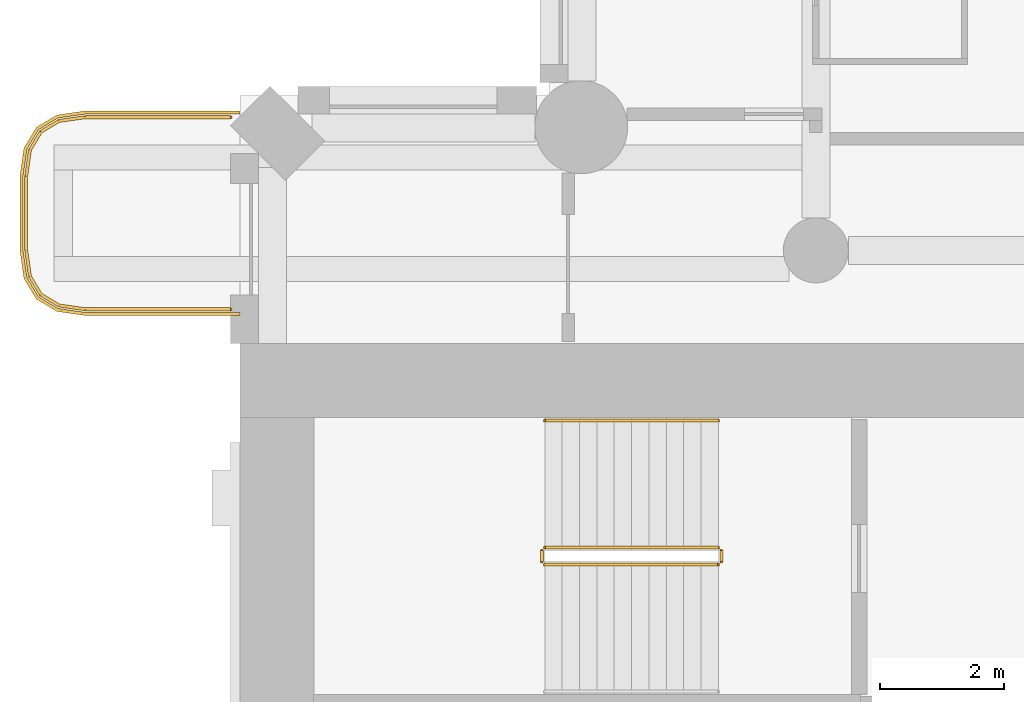
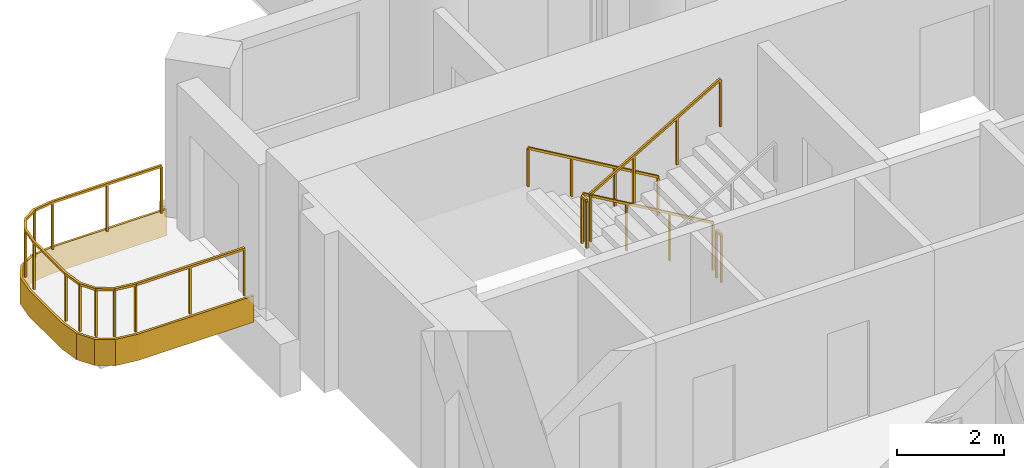
# One storey, part 17 of 20: 6 railings, 1 covering.
"""IFC4 building model written with IfcOpenShell, lengths in metres."""

from ifc_helpers import new_model, si_unit, direction, frame, origin, origin_2d, place, context, subcontext, project, spatial, polyline, rectangle, outline, extrude, material, layer, layer_set, type_object, element, save


model = new_model("IFC4")

# Units and contexts
model_context = context("Model", 3, precision=1e-05, world=origin(), true_north=direction((0.0, 1.0)))
body_context = subcontext(model_context, "Body", "Model", "MODEL_VIEW")
ifc_project = project(units=[si_unit("LENGTHUNIT", "METRE"), si_unit("AREAUNIT", "SQUARE_METRE"), si_unit("VOLUMEUNIT", "CUBIC_METRE"), si_unit("PLANEANGLEUNIT", "RADIAN"), si_unit("MASSUNIT", "GRAM", prefix="KILO")], contexts=[model_context])

# Site, building, storey
site_placement = place(None, origin())
site = spatial("IfcSite", under=ifc_project, at=site_placement, CompositionType="ELEMENT")
building_placement = place(site_placement, origin())
building = spatial("IfcBuilding", under=site, at=building_placement, Name="Cypress Arch Tower", CompositionType="ELEMENT")
storey_placement = place(building_placement, frame((0.0, 0.0, 123.89990234375)))
storey = spatial("IfcBuildingStorey", under=building, at=storey_placement, Name="L26", CompositionType="ELEMENT", Elevation=123.89990234375)

# Covering
ifc_material_1 = material(Name="White powder-coated aluminium fascia", Category="aluminium")
ifc_layer = layer(ifc_material_1, 0.050048828125)
ifc_layer_set = layer_set([ifc_layer], Name="Balcony fascia BF50")
covering_type = type_object("IfcCoveringType", Name="Balcony fascia BF50", PredefinedType="CLADDING", material=ifc_layer_set)
covering_placement = place(storey_placement, frame((0.0, 0.0, -0.599853515625)))
element("IfcCovering", 1, at=covering_placement, inside=storey, type_object=covering_type, Name="Balcony fascia L26-A00W0", PredefinedType="CLADDING", context=body_context, shape_type="SweptSolid", body=[
    extrude(outline(polyline([(-32.503662109375, 16.449951171875), (-32.95458984375, 16.514404296875), (-33.286376953125, 16.713623046875), (-33.485595703125, 17.04541015625), (-33.550048828125, 17.496337890625), (-33.550048828125, 18.70361328125), (-33.485595703125, 19.154541015625), (-33.286376953125, 19.486328125), (-32.95458984375, 19.685546875), (-32.503662109375, 19.75), (-30.0009765625, 19.75), (-30.0009765625, 19.699951171875), (-32.5, 19.699951171875), (-32.9375, 19.637451171875), (-33.25, 19.449951171875), (-33.4375, 19.137451171875), (-33.5, 18.699951171875), (-33.5, 17.5), (-33.4375, 17.0625), (-33.25, 16.75), (-32.9375, 16.5625), (-32.5, 16.5), (-30.0009765625, 16.5), (-30.0009765625, 16.449951171875), (-32.503662109375, 16.449951171875)])), origin(), (0.0, 0.0, 1.0), 0.599853515625),
])

# Railings
ifc_material_2 = material(Name="Powder-coated steel posts and rods, 100 mm clear between rods", Category="steel")
railing_type_1 = type_object("IfcRailingType", Name="Balcony guard GR1100", PredefinedType="GUARDRAIL", material=ifc_material_2)
railing_1_placement = place(storey_placement, frame((-30.14990234375, 16.550048828125, 0.0)))
element("IfcRailing", 2, at=railing_1_placement, inside=storey, type_object=railing_type_1, Name="Balcony guard L26-A00W0", PredefinedType="GUARDRAIL", context=body_context, shape_type="SweptSolid", body=[
    extrude(rectangle(XDim=0.050048828125, YDim=0.050048828125, at=origin_2d()), frame((0.0, 0.0, 1.0751953125), z_axis=(-1.0, 0.0, 0.0), x_axis=(0.0, -1.0, 0.0)), (0.0, 0.0, 1.0), 2.346435546875),
    extrude(rectangle(XDim=0.050048828125, YDim=0.050048828125, at=origin_2d()), frame((-2.346435546875, 0.0, 1.0751953125), z_axis=(-0.989960888959, 0.141341566184, 0.0), x_axis=(-0.141341566184, -0.989960888959, 0.0)), (0.0, 0.0, 1.0), 0.428466796875),
    extrude(rectangle(XDim=0.050048828125, YDim=0.050048828125, at=origin_2d()), frame((-2.7705078125, 0.060546875, 1.0751953125), z_axis=(-0.857681904839, 0.514180659021, 0.0), x_axis=(-0.514180659021, -0.857681904839, 0.0)), (0.0, 0.0, 1.0), 0.341796875),
    extrude(rectangle(XDim=0.050048828125, YDim=0.050048828125, at=origin_2d()), frame((-3.063720703125, 0.236328125, 1.0751953125), z_axis=(-0.514180659021, 0.857681904839, 0.0), x_axis=(-0.857681904839, -0.514180659021, 0.0)), (0.0, 0.0, 1.0), 0.341796875),
    extrude(rectangle(XDim=0.050048828125, YDim=0.050048828125, at=origin_2d()), frame((-3.239501953125, 0.529541015625, 1.0751953125), z_axis=(-0.141341566184, 0.989960888959, 0.0), x_axis=(-0.989960888959, -0.141341566184, 0.0)), (0.0, 0.0, 1.0), 0.428466796875),
    extrude(rectangle(XDim=0.050048828125, YDim=0.050048828125, at=origin_2d()), frame((-3.300048828125, 0.95361328125, 1.0751953125), z_axis=(0.0, 1.0, 0.0), x_axis=(-1.0, 0.0, 0.0)), (0.0, 0.0, 1.0), 1.19287109375),
    extrude(rectangle(XDim=0.050048828125, YDim=0.050048828125, at=origin_2d()), frame((-3.300048828125, 2.146484375, 1.0751953125), z_axis=(0.141421356237, 0.989949493661, 0.0), x_axis=(-0.989949493661, 0.141421356237, 0.0)), (0.0, 0.0, 1.0), 0.42822265625),
    extrude(rectangle(XDim=0.050048828125, YDim=0.050048828125, at=origin_2d()), frame((-3.239501953125, 2.5703125, 1.0751953125), z_axis=(0.514180659021, 0.857681904839, 0.0), x_axis=(-0.857681904839, 0.514180659021, 0.0)), (0.0, 0.0, 1.0), 0.341796875),
    extrude(rectangle(XDim=0.050048828125, YDim=0.050048828125, at=origin_2d()), frame((-3.063720703125, 2.863525390625, 1.0751953125), z_axis=(0.857681904839, 0.514180659021, 0.0), x_axis=(-0.514180659021, 0.857681904839, 0.0)), (0.0, 0.0, 1.0), 0.341796875),
    extrude(rectangle(XDim=0.050048828125, YDim=0.050048828125, at=origin_2d()), frame((-2.7705078125, 3.039306640625, 1.0751953125), z_axis=(0.989960888959, 0.141341566184, 0.0), x_axis=(-0.141341566184, 0.989960888959, 0.0)), (0.0, 0.0, 1.0), 0.428466796875),
    extrude(rectangle(XDim=0.050048828125, YDim=0.050048828125, at=origin_2d()), frame((-2.346435546875, 3.099853515625, 1.0751953125), z_axis=(1.0, 0.0, 0.0), x_axis=(0.0, 1.0, 0.0)), (0.0, 0.0, 1.0), 2.346435546875),
    extrude(rectangle(XDim=0.0400390625, YDim=0.0400390625, at=origin_2d()), origin(), (0.0, 0.0, 1.0), 1.050048828125),
    extrude(rectangle(XDim=0.0400390625, YDim=0.0400390625, at=origin_2d()), frame((-1.17333984375, 0.0, 0.0)), (0.0, 0.0, 1.0), 1.050048828125),
    extrude(rectangle(XDim=0.0400390625, YDim=0.0400390625, at=origin_2d()), frame((-2.346435546875, 0.0, 0.0)), (0.0, 0.0, 1.0), 1.050048828125),
    extrude(rectangle(XDim=0.0400390625, YDim=0.0400390625, at=origin_2d()), frame((-2.7705078125, 0.060546875, 0.0)), (0.0, 0.0, 1.0), 1.050048828125),
    extrude(rectangle(XDim=0.0400390625, YDim=0.0400390625, at=origin_2d()), frame((-3.063720703125, 0.236328125, 0.0)), (0.0, 0.0, 1.0), 1.050048828125),
    extrude(rectangle(XDim=0.0400390625, YDim=0.0400390625, at=origin_2d()), frame((-3.239501953125, 0.529541015625, 0.0)), (0.0, 0.0, 1.0), 1.050048828125),
    extrude(rectangle(XDim=0.0400390625, YDim=0.0400390625, at=origin_2d()), frame((-3.300048828125, 0.95361328125, 0.0)), (0.0, 0.0, 1.0), 1.050048828125),
    extrude(rectangle(XDim=0.0400390625, YDim=0.0400390625, at=origin_2d()), frame((-3.300048828125, 2.146484375, 0.0)), (0.0, 0.0, 1.0), 1.050048828125),
    extrude(rectangle(XDim=0.0400390625, YDim=0.0400390625, at=origin_2d()), frame((-3.239501953125, 2.5703125, 0.0)), (0.0, 0.0, 1.0), 1.050048828125),
    extrude(rectangle(XDim=0.0400390625, YDim=0.0400390625, at=origin_2d()), frame((-3.063720703125, 2.863525390625, 0.0)), (0.0, 0.0, 1.0), 1.050048828125),
    extrude(rectangle(XDim=0.0400390625, YDim=0.0400390625, at=origin_2d()), frame((-2.7705078125, 3.039306640625, 0.0)), (0.0, 0.0, 1.0), 1.050048828125),
    extrude(rectangle(XDim=0.0400390625, YDim=0.0400390625, at=origin_2d()), frame((-2.346435546875, 3.099853515625, 0.0)), (0.0, 0.0, 1.0), 1.050048828125),
    extrude(rectangle(XDim=0.0400390625, YDim=0.0400390625, at=origin_2d()), frame((-1.17333984375, 3.099853515625, 0.0)), (0.0, 0.0, 1.0), 1.050048828125),
    extrude(rectangle(XDim=0.0400390625, YDim=0.0400390625, at=origin_2d()), frame((0.0, 3.099853515625, 0.0)), (0.0, 0.0, 1.0), 1.050048828125),
])
ifc_material_3 = material(Name="Black powder-coated steel square bar 48 mm", Category="steel")
railing_type_2 = type_object("IfcRailingType", Name="Stair handrail HR1", PredefinedType="HANDRAIL", material=ifc_material_3)
railing_2_placement = place(storey_placement, frame((-22.27490234375, 14.75, 0.163818359375)))
element("IfcRailing", 3, at=railing_2_placement, inside=storey, type_object=railing_type_2, Name="L26 B stair handrail 1", PredefinedType="HANDRAIL", context=body_context, shape_type="SweptSolid", body=[
    extrude(rectangle(XDim=0.048095703125, YDim=0.048095703125, at=origin_2d()), frame((0.0, 0.0, 0.8759765625), z_axis=(-0.863393664356, 0.0, 0.504530851732), x_axis=(0.0, -1.0, 0.0)), (0.0, 0.0, 1.0), 3.2431640625),
    extrude(rectangle(XDim=0.0419921875, YDim=0.0419921875, at=origin_2d()), origin(), (0.0, 0.0, 1.0), 0.851806640625),
    extrude(rectangle(XDim=0.0419921875, YDim=0.0419921875, at=origin_2d()), frame((-0.933349609375, 0.0, 0.54541015625)), (0.0, 0.0, 1.0), 0.851806640625),
    extrude(rectangle(XDim=0.0419921875, YDim=0.0419921875, at=origin_2d()), frame((-1.86669921875, 0.0, 1.0908203125)), (0.0, 0.0, 1.0), 0.851806640625),
    extrude(rectangle(XDim=0.0419921875, YDim=0.0419921875, at=origin_2d()), frame((-2.800048828125, 0.0, 1.63623046875)), (0.0, 0.0, 1.0), 0.851806640625),
])
ifc_material_4 = material(Name="Black powder-coated steel balusters", Category="steel")
railing_type_3 = type_object("IfcRailingType", Name="Stair well guard G1", PredefinedType="GUARDRAIL", material=ifc_material_4)
railing_3_placement = place(storey_placement, frame((-22.27490234375, 12.699951171875, 0.163818359375)))
element("IfcRailing", 4, at=railing_3_placement, inside=storey, type_object=railing_type_3, Name="L26 B stair guard 1", PredefinedType="GUARDRAIL", context=body_context, shape_type="SweptSolid", body=[
    extrude(rectangle(XDim=0.048095703125, YDim=0.048095703125, at=origin_2d()), frame((0.0, 0.0, 1.076171875), z_axis=(-0.863393664356, 0.0, 0.504530851732), x_axis=(0.0, -1.0, 0.0)), (0.0, 0.0, 1.0), 3.2431640625),
    extrude(rectangle(XDim=0.0419921875, YDim=0.0419921875, at=origin_2d()), origin(), (0.0, 0.0, 1.0), 1.052001953125),
    extrude(rectangle(XDim=0.0419921875, YDim=0.0419921875, at=origin_2d()), frame((-0.933349609375, 0.0, 0.54541015625)), (0.0, 0.0, 1.0), 1.052001953125),
    extrude(rectangle(XDim=0.0419921875, YDim=0.0419921875, at=origin_2d()), frame((-1.86669921875, 0.0, 1.0908203125)), (0.0, 0.0, 1.0), 1.052001953125),
    extrude(rectangle(XDim=0.0419921875, YDim=0.0419921875, at=origin_2d()), frame((-2.800048828125, 0.0, 1.63623046875)), (0.0, 0.0, 1.0), 1.052001953125),
])
railing_4_placement = place(storey_placement, frame((-25.125, 12.64990234375, 1.800048828125)))
element("IfcRailing", 5, at=railing_4_placement, inside=storey, type_object=railing_type_3, Name="L26 B stair guard 2", PredefinedType="GUARDRAIL", context=body_context, shape_type="SweptSolid", body=[
    extrude(rectangle(XDim=0.048095703125, YDim=0.048095703125, at=origin_2d()), frame((0.0, 0.0, 1.076171875), z_axis=(0.0, -1.0, 0.0), x_axis=(1.0, 0.0, 0.0)), (0.0, 0.0, 1.0), 0.1748046875),
    extrude(rectangle(XDim=0.0419921875, YDim=0.0419921875, at=origin_2d()), origin(), (0.0, 0.0, 1.0), 1.052001953125),
    extrude(rectangle(XDim=0.0419921875, YDim=0.0419921875, at=origin_2d()), frame((0.0, -0.1748046875, 0.0)), (0.0, 0.0, 1.0), 1.052001953125),
])
railing_5_placement = place(storey_placement, frame((-25.074951171875, 12.425048828125, 1.963623046875)))
element("IfcRailing", 6, at=railing_5_placement, inside=storey, type_object=railing_type_3, Name="L26 B stair guard 3", PredefinedType="GUARDRAIL", context=body_context, shape_type="SweptSolid", body=[
    extrude(rectangle(XDim=0.048095703125, YDim=0.048095703125, at=origin_2d()), frame((0.0, 0.0, 1.076171875), z_axis=(0.863360870873, 0.0, 0.504586966384), x_axis=(0.0, 1.0, 0.0)), (0.0, 0.0, 1.0), 3.2431640625),
    extrude(rectangle(XDim=0.0419921875, YDim=0.0419921875, at=origin_2d()), origin(), (0.0, 0.0, 1.0), 1.052001953125),
    extrude(rectangle(XDim=0.0419921875, YDim=0.0419921875, at=origin_2d()), frame((0.933349609375, 0.0, 0.54541015625)), (0.0, 0.0, 1.0), 1.052001953125),
    extrude(rectangle(XDim=0.0419921875, YDim=0.0419921875, at=origin_2d()), frame((1.86669921875, 0.0, 1.091064453125)), (0.0, 0.0, 1.0), 1.052001953125),
    extrude(rectangle(XDim=0.0419921875, YDim=0.0419921875, at=origin_2d()), frame((2.800048828125, 0.0, 1.636474609375)), (0.0, 0.0, 1.0), 1.052001953125),
])
railing_6_placement = place(storey_placement, frame((-22.22509765625, 12.64990234375, 0.0)))
element("IfcRailing", 7, at=railing_6_placement, inside=storey, type_object=railing_type_3, Name="L26 B stair guard 4", PredefinedType="GUARDRAIL", context=body_context, shape_type="SweptSolid", body=[
    extrude(rectangle(XDim=0.048095703125, YDim=0.048095703125, at=origin_2d()), frame((0.0, 0.0, 1.076171875), z_axis=(0.0, -1.0, 0.0), x_axis=(1.0, 0.0, 0.0)), (0.0, 0.0, 1.0), 0.1748046875),
    extrude(rectangle(XDim=0.0419921875, YDim=0.0419921875, at=origin_2d()), origin(), (0.0, 0.0, 1.0), 1.052001953125),
    extrude(rectangle(XDim=0.0419921875, YDim=0.0419921875, at=origin_2d()), frame((0.0, -0.1748046875, 0.0)), (0.0, 0.0, 1.0), 1.052001953125),
])

save(model, "model.ifc")
